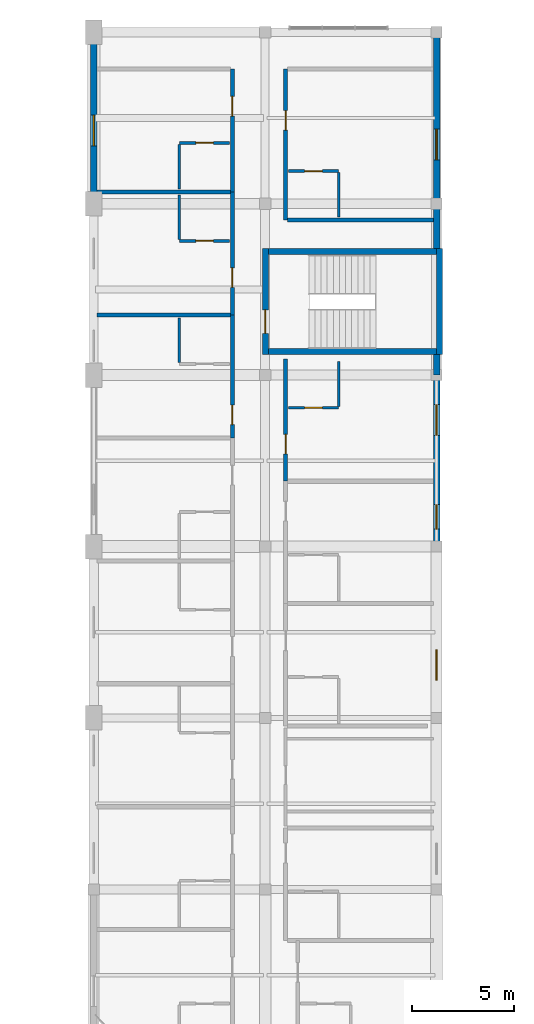
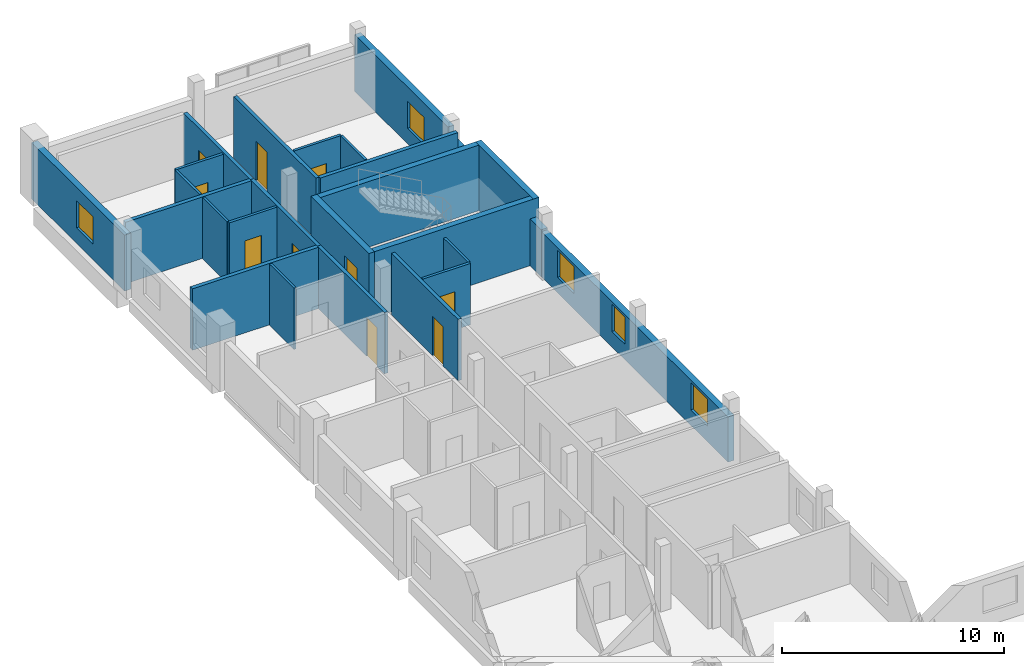
# One storey, part 14 of 20: 26 walls, 10 doors, 5 windows, 15 openings.
"""IFC4 building model written with IfcOpenShell, lengths in metres."""

from ifc_helpers import new_model, si_unit, derived_unit, direction, frame, frame_2d, origin, place, context, subcontext, project, spatial, rectangle, extrude, material, layer, layer_set, type_object, element, fill, save


model = new_model("IFC4")

# Units and contexts
model_context = context("Model", 3, precision=1e-05, world=origin(), true_north=direction((0.0, 1.0)))
body_context = subcontext(model_context, "Body", "Model", "MODEL_VIEW")
ifc_project = project(units=[si_unit("LENGTHUNIT", "METRE"), si_unit("AREAUNIT", "SQUARE_METRE"), si_unit("VOLUMEUNIT", "CUBIC_METRE"), si_unit("PLANEANGLEUNIT", "RADIAN"), si_unit("MASSUNIT", "GRAM", prefix="KILO"), derived_unit("THERMALTRANSMITTANCEUNIT", [(si_unit("POWERUNIT", "WATT"), 1), (si_unit("LENGTHUNIT", "METRE"), -2), (si_unit("THERMODYNAMICTEMPERATUREUNIT", "KELVIN"), -1)])], contexts=[model_context])

# Site, building, storey
site_placement = place(None, origin())
site = spatial("IfcSite", under=ifc_project, at=site_placement, CompositionType="ELEMENT")
building_placement = place(site_placement, origin())
building = spatial("IfcBuilding", under=site, at=building_placement, Name="Barrovel Congress Hotel", CompositionType="ELEMENT")
storey_placement = place(building_placement, frame((0.0, 0.0, 36.300048828125)))
storey = spatial("IfcBuildingStorey", under=building, at=storey_placement, Name="L09", CompositionType="ELEMENT", Elevation=36.300048828125)

# Wall, openings, windows
ifc_material_1 = material(Name="Fired Clay Brick Masonry", Category="masonry")
ifc_layer_1 = layer(ifc_material_1, 0.320068359375)
ifc_layer_set_1 = layer_set([ifc_layer_1], Name="Fired Clay Brick Masonry")
wall_type_1 = type_object("IfcWallType", Name="EW-BRK320", PredefinedType="STANDARD", material=ifc_layer_set_1)
wall_1_placement = place(storey_placement, frame((50.39990234375, 37.800048828125, 0.0), z_axis=(0.0, 0.0, 1.0), x_axis=(0.0, 1.0, 0.0)))
wall_1 = element("IfcWall", 1, at=wall_1_placement, inside=storey, type_object=wall_type_1, Name="EW:L09:HW-E-1", PredefinedType="STANDARD", context=body_context, shape_type="SweptSolid", body=[
    extrude(rectangle(XDim=16.800048828125, YDim=0.320068359375, at=frame_2d((8.39990234375, 0.0))), origin(), (0.0, 0.0, 1.0), 2.47998046875),
])
opening_1_placement = place(wall_1_placement, frame((1.85009765625, 0.0, 0.85009765625)))
opening_1 = element("IfcOpeningElement", 2, at=opening_1_placement, cuts=wall_1, Name="Opening WN-07", PredefinedType="OPENING", context=body_context, shape_type="SweptSolid", body=[
    extrude(rectangle(XDim=1.5, YDim=1.5, at=frame_2d((0.75, 0.75))), frame((0.0, 0.169921875, 0.0), z_axis=(0.0, -1.0, 0.0), x_axis=(1.0, 0.0, 0.0)), (0.0, 0.0, 1.0), 0.340087890625),
])
opening_2_placement = place(wall_1_placement, frame((9.25, 0.0, 0.85009765625)))
opening_2 = element("IfcOpeningElement", 3, at=opening_2_placement, cuts=wall_1, Name="Opening WN-06", PredefinedType="OPENING", context=body_context, shape_type="SweptSolid", body=[
    extrude(rectangle(XDim=1.199951171875, YDim=1.5, at=frame_2d((0.60009765625, 0.75))), frame((0.0, 0.169921875, 0.0), z_axis=(0.0, -1.0, 0.0), x_axis=(1.0, 0.0, 0.0)), (0.0, 0.0, 1.0), 0.340087890625),
])
opening_3_placement = place(wall_1_placement, frame((13.85009765625, 0.0, 0.85009765625)))
opening_3 = element("IfcOpeningElement", 4, at=opening_3_placement, cuts=wall_1, Name="Opening WN-07", PredefinedType="OPENING", context=body_context, shape_type="SweptSolid", body=[
    extrude(rectangle(XDim=1.5, YDim=1.5, at=frame_2d((0.75, 0.75))), frame((0.0, 0.169921875, 0.0), z_axis=(0.0, -1.0, 0.0), x_axis=(1.0, 0.0, 0.0)), (0.0, 0.0, 1.0), 0.340087890625),
])
ifc_material_2 = material(Name="Double Low-E Insulated Glazing", Category="glass")
window_type_1 = type_object("IfcWindowType", Name="WIN-WN-06", PartitioningType="SINGLE_PANEL", PredefinedType="WINDOW", material=ifc_material_2)
window_1_placement = place(opening_2_placement, origin())
window_1 = element("IfcWindow", 5, at=window_1_placement, inside=storey, type_object=window_type_1, Name="WIN:L09:U36", OverallHeight=1.5, OverallWidth=1.199951171875, PartitioningType="SINGLE_PANEL", PredefinedType="WINDOW", context=body_context, shape_type="SweptSolid", body=[
    extrude(rectangle(XDim=1.199951171875, YDim=1.5, at=frame_2d((0.60009765625, 0.75))), frame((0.0, 0.030029296875, 0.0), z_axis=(0.0, -1.0, 0.0), x_axis=(1.0, 0.0, 0.0)), (0.0, 0.0, 1.0), 0.06005859375),
])
fill(opening_2, window_1)
window_type_2 = type_object("IfcWindowType", Name="WIN-WN-07", PartitioningType="SINGLE_PANEL", PredefinedType="WINDOW", material=ifc_material_2)
window_2_placement = place(opening_1_placement, origin())
window_2 = element("IfcWindow", 6, at=window_2_placement, inside=storey, type_object=window_type_2, Name="WIN:L09:U35", OverallHeight=1.5, OverallWidth=1.5, PartitioningType="SINGLE_PANEL", PredefinedType="WINDOW", context=body_context, shape_type="SweptSolid", body=[
    extrude(rectangle(XDim=1.5, YDim=1.5, at=frame_2d((0.75, 0.75))), frame((0.0, 0.030029296875, 0.0), z_axis=(0.0, -1.0, 0.0), x_axis=(1.0, 0.0, 0.0)), (0.0, 0.0, 1.0), 0.06005859375),
])
fill(opening_1, window_2)
window_3_placement = place(opening_3_placement, origin())
window_3 = element("IfcWindow", 7, at=window_3_placement, inside=storey, type_object=window_type_2, Name="WIN:L09:U37", OverallHeight=1.5, OverallWidth=1.5, PartitioningType="SINGLE_PANEL", PredefinedType="WINDOW", context=body_context, shape_type="SweptSolid", body=[
    extrude(rectangle(XDim=1.5, YDim=1.5, at=frame_2d((0.75, 0.75))), frame((0.0, 0.030029296875, 0.0), z_axis=(0.0, -1.0, 0.0), x_axis=(1.0, 0.0, 0.0)), (0.0, 0.0, 1.0), 0.06005859375),
])
fill(opening_3, window_3)

# Wall, opening, window
wall_2_placement = place(storey_placement, frame((50.39990234375, 63.0, 0.0), z_axis=(0.0, 0.0, 1.0), x_axis=(0.0, 1.0, 0.0)))
wall_2 = element("IfcWall", 8, at=wall_2_placement, inside=storey, type_object=wall_type_1, Name="EW:L09:HW-E-2", PredefinedType="STANDARD", context=body_context, shape_type="SweptSolid", body=[
    extrude(rectangle(XDim=8.39990234375, YDim=0.320068359375, at=frame_2d((4.199951171875, 0.0))), origin(), (0.0, 0.0, 1.0), 3.1259765625),
])
opening_4_placement = place(wall_2_placement, frame((2.14990234375, 0.0, 0.85009765625)))
opening_4 = element("IfcOpeningElement", 9, at=opening_4_placement, cuts=wall_2, Name="Opening WN-07", PredefinedType="OPENING", context=body_context, shape_type="SweptSolid", body=[
    extrude(rectangle(XDim=1.5, YDim=1.5, at=frame_2d((0.75, 0.75))), frame((0.0, 0.169921875, 0.0), z_axis=(0.0, -1.0, 0.0), x_axis=(1.0, 0.0, 0.0)), (0.0, 0.0, 1.0), 0.340087890625),
])
window_4_placement = place(opening_4_placement, origin())
window_4 = element("IfcWindow", 10, at=window_4_placement, inside=storey, type_object=window_type_2, Name="WIN:L09:U38", OverallHeight=1.5, OverallWidth=1.5, PartitioningType="SINGLE_PANEL", PredefinedType="WINDOW", context=body_context, shape_type="SweptSolid", body=[
    extrude(rectangle(XDim=1.5, YDim=1.5, at=frame_2d((0.75, 0.75))), frame((0.0, 0.030029296875, 0.0), z_axis=(0.0, -1.0, 0.0), x_axis=(1.0, 0.0, 0.0)), (0.0, 0.0, 1.0), 0.06005859375),
])
fill(opening_4, window_4)

# Walls
wall_3_placement = place(storey_placement, frame((50.39990234375, 54.60009765625, 0.0), z_axis=(0.0, 0.0, 1.0), x_axis=(0.0, 1.0, 0.0)))
element("IfcWall", 11, at=wall_3_placement, inside=storey, type_object=wall_type_1, Name="EW:L09:HW-E-1:P03", PredefinedType="STANDARD", context=body_context, shape_type="SweptSolid", body=[
    extrude(rectangle(XDim=1.0, YDim=0.320068359375, at=frame_2d((0.5, 0.0))), origin(), (0.0, 0.0, 1.0), 2.579833984375),
])
wall_4_placement = place(storey_placement, frame((50.39990234375, 60.800048828125, 0.0), z_axis=(0.0, 0.0, 1.0), x_axis=(0.0, 1.0, 0.0)))
element("IfcWall", 12, at=wall_4_placement, inside=storey, type_object=wall_type_1, Name="EW:L09:HW-E-2:P01", PredefinedType="STANDARD", context=body_context, shape_type="SweptSolid", body=[
    extrude(rectangle(XDim=2.199951171875, YDim=0.320068359375, at=frame_2d((1.10009765625, 0.0))), origin(), (0.0, 0.0, 1.0), 2.579833984375),
])

# Wall, opening, window
wall_5_placement = place(storey_placement, frame((33.60009765625, 71.39990234375, 0.0), z_axis=(0.0, 0.0, 1.0), x_axis=(0.0, -1.0, 0.0)))
wall_5 = element("IfcWall", 13, at=wall_5_placement, inside=storey, type_object=wall_type_1, Name="EW:L09:HW-W:P01", PredefinedType="STANDARD", context=body_context, shape_type="SweptSolid", body=[
    extrude(rectangle(XDim=8.39990234375, YDim=0.320068359375, at=frame_2d((4.199951171875, 0.0))), origin(), (0.0, 0.0, 1.0), 3.0751953125),
])
opening_5_placement = place(wall_5_placement, frame((4.0625, 0.0, 0.85009765625)))
opening_5 = element("IfcOpeningElement", 14, at=opening_5_placement, cuts=wall_5, Name="Opening WN-07", PredefinedType="OPENING", context=body_context, shape_type="SweptSolid", body=[
    extrude(rectangle(XDim=1.5, YDim=1.5, at=frame_2d((0.75, 0.75))), frame((0.0, 0.169921875, 0.0), z_axis=(0.0, -1.0, 0.0), x_axis=(1.0, 0.0, 0.0)), (0.0, 0.0, 1.0), 0.340087890625),
])
window_5_placement = place(opening_5_placement, origin())
window_5 = element("IfcWindow", 15, at=window_5_placement, inside=storey, type_object=window_type_2, Name="WIN:L09:U32", OverallHeight=1.5, OverallWidth=1.5, PartitioningType="SINGLE_PANEL", PredefinedType="WINDOW", context=body_context, shape_type="SweptSolid", body=[
    extrude(rectangle(XDim=1.5, YDim=1.5, at=frame_2d((0.75, 0.75))), frame((0.0, 0.030029296875, 0.0), z_axis=(0.0, -1.0, 0.0), x_axis=(1.0, 0.0, 0.0)), (0.0, 0.0, 1.0), 0.06005859375),
])
fill(opening_5, window_5)

# Wall, opening, door
ifc_material_3 = material(Name="Gypsum Acoustic Stud", Category="gypsum")
ifc_layer_2 = layer(ifc_material_3, 0.179931640625)
ifc_layer_set_2 = layer_set([ifc_layer_2], Name="Gypsum Acoustic Stud")
wall_type_2 = type_object("IfcWallType", Name="PW-ACU-180", PredefinedType="PARTITIONING", material=ifc_layer_set_2)
wall_6_placement = place(storey_placement, frame((40.39990234375, 51.52490234375, 0.0), z_axis=(0.0, 0.0, 1.0), x_axis=(0.0, 1.0, 0.0)))
wall_6 = element("IfcWall", 16, at=wall_6_placement, inside=storey, type_object=wall_type_2, Name="PW:L09:U30:COR", PredefinedType="PARTITIONING", context=body_context, shape_type="SweptSolid", body=[
    extrude(rectangle(XDim=6.025146484375, YDim=0.179931640625, at=frame_2d((3.0126953125, 0.0))), origin(), (0.0, 0.0, 1.0), 3.375),
])
opening_6_placement = place(wall_6_placement, frame((0.6474609375, 0.0, 0.0)))
opening_6 = element("IfcOpeningElement", 17, at=opening_6_placement, cuts=wall_6, Name="Opening ID-HTL", PredefinedType="OPENING", context=body_context, shape_type="SweptSolid", body=[
    extrude(rectangle(XDim=0.9599609375, YDim=2.14990234375, at=frame_2d((0.47998046875, 1.074951171875))), frame((0.0, 0.10009765625, 0.0), z_axis=(0.0, -1.0, 0.0), x_axis=(1.0, 0.0, 0.0)), (0.0, 0.0, 1.0), 0.199951171875),
])
ifc_material_4 = material(Name="Solid Oak Acoustic Timber Door", Category="wood")
door_type_1 = type_object("IfcDoorType", Name="IDR-ID-HTL", OperationType="NOTDEFINED", PredefinedType="DOOR", material=ifc_material_4)
door_1_placement = place(opening_6_placement, origin())
door_1 = element("IfcDoor", 18, at=door_1_placement, inside=storey, type_object=door_type_1, Name="DR:L09:U30:ENT", OperationType="SINGLE_SWING_RIGHT", OverallHeight=2.14990234375, OverallWidth=0.9599609375, PredefinedType="DOOR", context=body_context, shape_type="SweptSolid", body=[
    extrude(rectangle(XDim=0.9599609375, YDim=2.14990234375, at=frame_2d((0.47998046875, 1.074951171875))), frame((0.0, 0.02490234375, 0.0), z_axis=(0.0, -1.0, 0.0), x_axis=(1.0, 0.0, 0.0)), (0.0, 0.0, 1.0), 0.050048828125),
])
fill(opening_6, door_1)

wall_7_placement = place(storey_placement, frame((40.39990234375, 57.550048828125, 0.0), z_axis=(0.0, 0.0, 1.0), x_axis=(0.0, 1.0, 0.0)))
wall_7 = element("IfcWall", 19, at=wall_7_placement, inside=storey, type_object=wall_type_2, Name="PW:L09:U31:COR", PredefinedType="PARTITIONING", context=body_context, shape_type="SweptSolid", body=[
    extrude(rectangle(XDim=6.02490234375, YDim=0.179931640625, at=frame_2d((3.012451171875, 0.0))), origin(), (0.0, 0.0, 1.0), 3.375),
])
opening_7_placement = place(wall_7_placement, frame((1.347412109375, 0.0, 0.0)))
opening_7 = element("IfcOpeningElement", 20, at=opening_7_placement, cuts=wall_7, Name="Opening ID-HTL", PredefinedType="OPENING", context=body_context, shape_type="SweptSolid", body=[
    extrude(rectangle(XDim=0.9599609375, YDim=2.14990234375, at=frame_2d((0.47998046875, 1.074951171875))), frame((0.0, 0.10009765625, 0.0), z_axis=(0.0, -1.0, 0.0), x_axis=(1.0, 0.0, 0.0)), (0.0, 0.0, 1.0), 0.199951171875),
])
door_2_placement = place(opening_7_placement, origin())
door_2 = element("IfcDoor", 21, at=door_2_placement, inside=storey, type_object=door_type_1, Name="DR:L09:U31:ENT", OperationType="SINGLE_SWING_RIGHT", OverallHeight=2.14990234375, OverallWidth=0.9599609375, PredefinedType="DOOR", context=body_context, shape_type="SweptSolid", body=[
    extrude(rectangle(XDim=0.9599609375, YDim=2.14990234375, at=frame_2d((0.47998046875, 1.074951171875))), frame((0.0, 0.02490234375, 0.0), z_axis=(0.0, -1.0, 0.0), x_axis=(1.0, 0.0, 0.0)), (0.0, 0.0, 1.0), 0.050048828125),
])
fill(opening_7, door_2)

wall_8_placement = place(storey_placement, frame((40.39990234375, 63.574951171875, 0.0), z_axis=(0.0, 0.0, 1.0), x_axis=(0.0, 1.0, 0.0)))
wall_8 = element("IfcWall", 22, at=wall_8_placement, inside=storey, type_object=wall_type_2, Name="PW:L09:U32:COR", PredefinedType="PARTITIONING", context=body_context, shape_type="SweptSolid", body=[
    extrude(rectangle(XDim=6.025146484375, YDim=0.179931640625, at=frame_2d((3.0126953125, 0.0))), origin(), (0.0, 0.0, 1.0), 3.375),
])
opening_8_placement = place(wall_8_placement, frame((3.717529296875, 0.0, 0.0)))
opening_8 = element("IfcOpeningElement", 23, at=opening_8_placement, cuts=wall_8, Name="Opening ID-HTL", PredefinedType="OPENING", context=body_context, shape_type="SweptSolid", body=[
    extrude(rectangle(XDim=0.9599609375, YDim=2.14990234375, at=frame_2d((0.47998046875, 1.074951171875))), frame((0.0, 0.10009765625, 0.0), z_axis=(0.0, -1.0, 0.0), x_axis=(1.0, 0.0, 0.0)), (0.0, 0.0, 1.0), 0.199951171875),
])
door_3_placement = place(opening_8_placement, origin())
door_3 = element("IfcDoor", 24, at=door_3_placement, inside=storey, type_object=door_type_1, Name="DR:L09:U32:ENT", OperationType="SINGLE_SWING_RIGHT", OverallHeight=2.14990234375, OverallWidth=0.9599609375, PredefinedType="DOOR", context=body_context, shape_type="SweptSolid", body=[
    extrude(rectangle(XDim=0.9599609375, YDim=2.14990234375, at=frame_2d((0.47998046875, 1.074951171875))), frame((0.0, 0.02490234375, 0.0), z_axis=(0.0, -1.0, 0.0), x_axis=(1.0, 0.0, 0.0)), (0.0, 0.0, 1.0), 0.050048828125),
])
fill(opening_8, door_3)

wall_9_placement = place(storey_placement, frame((43.0, 49.39990234375, 0.0), z_axis=(0.0, 0.0, 1.0), x_axis=(0.0, 1.0, 0.0)))
wall_9 = element("IfcWall", 25, at=wall_9_placement, inside=storey, type_object=wall_type_2, Name="PW:L09:U37:COR", PredefinedType="PARTITIONING", context=body_context, shape_type="SweptSolid", body=[
    extrude(rectangle(XDim=6.0, YDim=0.179931640625, at=frame_2d((3.0, 0.0))), origin(), (0.0, 0.0, 1.0), 3.375),
])
opening_9_placement = place(wall_9_placement, frame((1.3349609375, 0.0, 0.0)))
opening_9 = element("IfcOpeningElement", 26, at=opening_9_placement, cuts=wall_9, Name="Opening ID-HTL", PredefinedType="OPENING", context=body_context, shape_type="SweptSolid", body=[
    extrude(rectangle(XDim=0.9599609375, YDim=2.14990234375, at=frame_2d((0.47998046875, 1.074951171875))), frame((0.0, 0.10009765625, 0.0), z_axis=(0.0, -1.0, 0.0), x_axis=(1.0, 0.0, 0.0)), (0.0, 0.0, 1.0), 0.199951171875),
])
door_4_placement = place(opening_9_placement, origin())
door_4 = element("IfcDoor", 27, at=door_4_placement, inside=storey, type_object=door_type_1, Name="DR:L09:U37:ENT", OperationType="SINGLE_SWING_RIGHT", OverallHeight=2.14990234375, OverallWidth=0.9599609375, PredefinedType="DOOR", context=body_context, shape_type="SweptSolid", body=[
    extrude(rectangle(XDim=0.9599609375, YDim=2.14990234375, at=frame_2d((0.47998046875, 1.074951171875))), frame((0.0, 0.02490234375, 0.0), z_axis=(0.0, -1.0, 0.0), x_axis=(1.0, 0.0, 0.0)), (0.0, 0.0, 1.0), 0.050048828125),
])
fill(opening_9, door_4)

wall_10_placement = place(storey_placement, frame((43.0, 62.199951171875, 0.0), z_axis=(0.0, 0.0, 1.0), x_axis=(0.0, 1.0, 0.0)))
wall_10 = element("IfcWall", 28, at=wall_10_placement, inside=storey, type_object=wall_type_2, Name="PW:L09:U38:COR", PredefinedType="PARTITIONING", context=body_context, shape_type="SweptSolid", body=[
    extrude(rectangle(XDim=7.400146484375, YDim=0.179931640625, at=frame_2d((3.7001953125, 0.0))), origin(), (0.0, 0.0, 1.0), 3.375),
])
opening_10_placement = place(wall_10_placement, frame((4.405029296875, 0.0, 0.0)))
opening_10 = element("IfcOpeningElement", 29, at=opening_10_placement, cuts=wall_10, Name="Opening ID-HTL", PredefinedType="OPENING", context=body_context, shape_type="SweptSolid", body=[
    extrude(rectangle(XDim=0.9599609375, YDim=2.14990234375, at=frame_2d((0.47998046875, 1.074951171875))), frame((0.0, 0.10009765625, 0.0), z_axis=(0.0, -1.0, 0.0), x_axis=(1.0, 0.0, 0.0)), (0.0, 0.0, 1.0), 0.199951171875),
])
door_5_placement = place(opening_10_placement, origin())
door_5 = element("IfcDoor", 30, at=door_5_placement, inside=storey, type_object=door_type_1, Name="DR:L09:U38:ENT", OperationType="SINGLE_SWING_RIGHT", OverallHeight=2.14990234375, OverallWidth=0.9599609375, PredefinedType="DOOR", context=body_context, shape_type="SweptSolid", body=[
    extrude(rectangle(XDim=0.9599609375, YDim=2.14990234375, at=frame_2d((0.47998046875, 1.074951171875))), frame((0.0, 0.02490234375, 0.0), z_axis=(0.0, -1.0, 0.0), x_axis=(1.0, 0.0, 0.0)), (0.0, 0.0, 1.0), 0.050048828125),
])
fill(opening_10, door_5)

# Walls
ifc_layer_3 = layer(ifc_material_3, 0.1201171875)
ifc_layer_set_3 = layer_set([ifc_layer_3], Name="Gypsum Acoustic Stud")
wall_type_3 = type_object("IfcWallType", Name="PW-INT-120", PredefinedType="PARTITIONING", material=ifc_layer_set_3)
for number, where, z_axis, x_axis, name in (
    (31, (37.800048828125, 55.219970703125, 0.0), (0.0, 0.0, 1.0), (0.0, 1.0, 0.0), "PW:L09:U30:B2"),
    (32, (37.800048828125, 61.2451171875, 0.0), (0.0, 0.0, 1.0), (0.0, 1.0, 0.0), "PW:L09:U31:B2"),
    (33, (37.800048828125, 63.715087890625, 0.0), (0.0, 0.0, 1.0), (0.0, 1.0, 0.0), "PW:L09:U32:B2"),
    (34, (45.60009765625, 53.070068359375, 0.0), (0.0, 0.0, 1.0), (0.0, 1.0, 0.0), "PW:L09:U37:B2"),
    (35, (45.60009765625, 62.340087890625, 0.0), (0.0, 0.0, 1.0), (0.0, 1.0, 0.0), "PW:L09:U38:B2"),
):
    element("IfcWall", number, at=place(storey_placement, frame(where, z_axis=z_axis, x_axis=x_axis)), inside=storey, type_object=wall_type_3, Name=name, PredefinedType="PARTITIONING", context=body_context, shape_type="SweptSolid", body=[
        extrude(rectangle(XDim=2.18994140625, YDim=0.1201171875, at=frame_2d((1.094970703125, 0.0))), origin(), (0.0, 0.0, 1.0), 3.375),
    ])
ifc_layer_4 = layer(ifc_material_1, 0.199951171875)
ifc_layer_set_4 = layer_set([ifc_layer_4], Name="Fired Clay Brick Masonry")
wall_type_4 = type_object("IfcWallType", Name="PW-MAS-200", PredefinedType="PARTITIONING", material=ifc_layer_set_4)
for number, where, z_axis, x_axis, name in (
    (36, (33.760009765625, 57.550048828125, 0.0), (0.0, 0.0, 1.0), (1.0, 0.0, 0.0), "PW:L09:U30:DEM"),
    (37, (33.760009765625, 63.574951171875, 0.0), (0.0, 0.0, 1.0), (1.0, 0.0, 0.0), "PW:L09:U31:DEM"),
):
    element("IfcWall", number, at=place(storey_placement, frame(where, z_axis=z_axis, x_axis=x_axis)), inside=storey, type_object=wall_type_4, Name=name, PredefinedType="PARTITIONING", context=body_context, shape_type="SweptSolid", body=[
        extrude(rectangle(XDim=6.550048828125, YDim=0.199951171875, at=frame_2d((3.27490234375, 0.0))), origin(), (0.0, 0.0, 1.0), 3.375),
    ])
wall_11_placement = place(storey_placement, frame((43.090087890625, 62.199951171875, 0.0), z_axis=(0.0, 0.0, 1.0), x_axis=(1.0, 0.0, 0.0)))
element("IfcWall", 38, at=wall_11_placement, inside=storey, type_object=wall_type_4, Name="PW:L09:U38:DEM0", PredefinedType="PARTITIONING", context=body_context, shape_type="SweptSolid", body=[
    extrude(rectangle(XDim=7.14990234375, YDim=0.199951171875, at=frame_2d((3.574951171875, 0.0))), origin(), (0.0, 0.0, 1.0), 3.375),
])

# Wall, opening, door
ifc_material_5 = material(Name="Gypsum Moisture Board", Category="gypsum")
ifc_layer_5 = layer(ifc_material_5, 0.139892578125)
ifc_layer_set_5 = layer_set([ifc_layer_5], Name="Gypsum Moisture Board")
wall_type_5 = type_object("IfcWallType", Name="PW-WET-140", PredefinedType="PARTITIONING", material=ifc_layer_set_5)
wall_12_placement = place(storey_placement, frame((37.800048828125, 61.175048828125, 0.0), z_axis=(0.0, 0.0, 1.0), x_axis=(1.0, 0.0, 0.0)))
wall_12 = element("IfcWall", 39, at=wall_12_placement, inside=storey, type_object=wall_type_5, Name="PW:L09:U31:B1", PredefinedType="PARTITIONING", context=body_context, shape_type="SweptSolid", body=[
    extrude(rectangle(XDim=2.4599609375, YDim=0.139892578125, at=frame_2d((1.22998046875, 0.0))), origin(), (0.0, 0.0, 1.0), 3.375),
])
opening_11_placement = place(wall_12_placement, frame((0.800048828125, 0.0, 0.0)))
opening_11 = element("IfcOpeningElement", 40, at=opening_11_placement, cuts=wall_12, Name="Opening ID-ENS", PredefinedType="OPENING", context=body_context, shape_type="SweptSolid", body=[
    extrude(rectangle(XDim=0.860107421875, YDim=2.10009765625, at=frame_2d((0.43017578125, 1.050048828125))), frame((0.0, 0.080078125, 0.0), z_axis=(0.0, -1.0, 0.0), x_axis=(1.0, 0.0, 0.0)), (0.0, 0.0, 1.0), 0.159912109375),
])
ifc_material_6 = material(Name="Lacquered Timber Moisture Door", Category="wood")
door_type_2 = type_object("IfcDoorType", Name="IDR-ID-ENS", OperationType="NOTDEFINED", PredefinedType="DOOR", material=ifc_material_6)
door_6_placement = place(opening_11_placement, origin())
door_6 = element("IfcDoor", 41, at=door_6_placement, inside=storey, type_object=door_type_2, Name="DR:L09:U31:ENS", OperationType="SINGLE_SWING_LEFT", OverallHeight=2.10009765625, OverallWidth=0.860107421875, PredefinedType="DOOR", context=body_context, shape_type="SweptSolid", body=[
    extrude(rectangle(XDim=0.860107421875, YDim=2.10009765625, at=frame_2d((0.43017578125, 1.050048828125))), frame((0.0, 0.02490234375, 0.0), z_axis=(0.0, -1.0, 0.0), x_axis=(1.0, 0.0, 0.0)), (0.0, 0.0, 1.0), 0.050048828125),
])
fill(opening_11, door_6)

wall_13_placement = place(storey_placement, frame((37.800048828125, 65.97509765625, 0.0), z_axis=(0.0, 0.0, 1.0), x_axis=(1.0, 0.0, 0.0)))
wall_13 = element("IfcWall", 42, at=wall_13_placement, inside=storey, type_object=wall_type_5, Name="PW:L09:U32:B1", PredefinedType="PARTITIONING", context=body_context, shape_type="SweptSolid", body=[
    extrude(rectangle(XDim=2.4599609375, YDim=0.139892578125, at=frame_2d((1.22998046875, 0.0))), origin(), (0.0, 0.0, 1.0), 3.375),
])
opening_12_placement = place(wall_13_placement, frame((0.800048828125, 0.0, 0.0)))
opening_12 = element("IfcOpeningElement", 43, at=opening_12_placement, cuts=wall_13, Name="Opening ID-ENS", PredefinedType="OPENING", context=body_context, shape_type="SweptSolid", body=[
    extrude(rectangle(XDim=0.860107421875, YDim=2.10009765625, at=frame_2d((0.43017578125, 1.050048828125))), frame((0.0, 0.080078125, 0.0), z_axis=(0.0, -1.0, 0.0), x_axis=(1.0, 0.0, 0.0)), (0.0, 0.0, 1.0), 0.159912109375),
])
door_7_placement = place(opening_12_placement, origin())
door_7 = element("IfcDoor", 44, at=door_7_placement, inside=storey, type_object=door_type_2, Name="DR:L09:U32:ENS", OperationType="SINGLE_SWING_LEFT", OverallHeight=2.10009765625, OverallWidth=0.860107421875, PredefinedType="DOOR", context=body_context, shape_type="SweptSolid", body=[
    extrude(rectangle(XDim=0.860107421875, YDim=2.10009765625, at=frame_2d((0.43017578125, 1.050048828125))), frame((0.0, 0.02490234375, 0.0), z_axis=(0.0, -1.0, 0.0), x_axis=(1.0, 0.0, 0.0)), (0.0, 0.0, 1.0), 0.050048828125),
])
fill(opening_12, door_7)

wall_14_placement = place(storey_placement, frame((43.139892578125, 53.0, 0.0), z_axis=(0.0, 0.0, 1.0), x_axis=(1.0, 0.0, 0.0)))
wall_14 = element("IfcWall", 45, at=wall_14_placement, inside=storey, type_object=wall_type_5, Name="PW:L09:U37:B1", PredefinedType="PARTITIONING", context=body_context, shape_type="SweptSolid", body=[
    extrude(rectangle(XDim=2.460205078125, YDim=0.139892578125, at=frame_2d((1.22998046875, 0.0))), origin(), (0.0, 0.0, 1.0), 3.375),
])
opening_13_placement = place(wall_14_placement, frame((0.800048828125, 0.0, 0.0)))
opening_13 = element("IfcOpeningElement", 46, at=opening_13_placement, cuts=wall_14, Name="Opening ID-ENS", PredefinedType="OPENING", context=body_context, shape_type="SweptSolid", body=[
    extrude(rectangle(XDim=0.860107421875, YDim=2.10009765625, at=frame_2d((0.43017578125, 1.050048828125))), frame((0.0, 0.080078125, 0.0), z_axis=(0.0, -1.0, 0.0), x_axis=(1.0, 0.0, 0.0)), (0.0, 0.0, 1.0), 0.159912109375),
])
door_8_placement = place(opening_13_placement, origin())
door_8 = element("IfcDoor", 47, at=door_8_placement, inside=storey, type_object=door_type_2, Name="DR:L09:U37:ENS", OperationType="SINGLE_SWING_LEFT", OverallHeight=2.10009765625, OverallWidth=0.860107421875, PredefinedType="DOOR", context=body_context, shape_type="SweptSolid", body=[
    extrude(rectangle(XDim=0.860107421875, YDim=2.10009765625, at=frame_2d((0.43017578125, 1.050048828125))), frame((0.0, 0.02490234375, 0.0), z_axis=(0.0, -1.0, 0.0), x_axis=(1.0, 0.0, 0.0)), (0.0, 0.0, 1.0), 0.050048828125),
])
fill(opening_13, door_8)

wall_15_placement = place(storey_placement, frame((43.139892578125, 64.60009765625, 0.0), z_axis=(0.0, 0.0, 1.0), x_axis=(1.0, 0.0, 0.0)))
wall_15 = element("IfcWall", 48, at=wall_15_placement, inside=storey, type_object=wall_type_5, Name="PW:L09:U38:B1", PredefinedType="PARTITIONING", context=body_context, shape_type="SweptSolid", body=[
    extrude(rectangle(XDim=2.460205078125, YDim=0.139892578125, at=frame_2d((1.22998046875, 0.0))), origin(), (0.0, 0.0, 1.0), 3.375),
])
opening_14_placement = place(wall_15_placement, frame((0.800048828125, 0.0, 0.0)))
opening_14 = element("IfcOpeningElement", 49, at=opening_14_placement, cuts=wall_15, Name="Opening ID-ENS", PredefinedType="OPENING", context=body_context, shape_type="SweptSolid", body=[
    extrude(rectangle(XDim=0.860107421875, YDim=2.10009765625, at=frame_2d((0.43017578125, 1.050048828125))), frame((0.0, 0.080078125, 0.0), z_axis=(0.0, -1.0, 0.0), x_axis=(1.0, 0.0, 0.0)), (0.0, 0.0, 1.0), 0.159912109375),
])
door_9_placement = place(opening_14_placement, origin())
door_9 = element("IfcDoor", 50, at=door_9_placement, inside=storey, type_object=door_type_2, Name="DR:L09:U38:ENS", OperationType="SINGLE_SWING_LEFT", OverallHeight=2.10009765625, OverallWidth=0.860107421875, PredefinedType="DOOR", context=body_context, shape_type="SweptSolid", body=[
    extrude(rectangle(XDim=0.860107421875, YDim=2.10009765625, at=frame_2d((0.43017578125, 1.050048828125))), frame((0.0, 0.02490234375, 0.0), z_axis=(0.0, -1.0, 0.0), x_axis=(1.0, 0.0, 0.0)), (0.0, 0.0, 1.0), 0.050048828125),
])
fill(opening_14, door_9)

# Walls
ifc_material_7 = material(Name="Concrete C40", Category="concrete")
ifc_layer_6 = layer(ifc_material_7, 0.300048828125)
ifc_layer_set_6 = layer_set([ifc_layer_6], Name="Concrete C40")
wall_type_6 = type_object("IfcWallType", Name="SW-C40-300", PredefinedType="SHEAR", material=ifc_layer_set_6)
wall_16_placement = place(storey_placement, frame((41.860107421875, 55.75, 0.0), z_axis=(0.0, 0.0, 1.0), x_axis=(1.0, 0.0, 0.0)))
element("IfcWall", 51, at=wall_16_placement, inside=storey, type_object=wall_type_6, Name="SHW:XS-05:L09:S", PredefinedType="SHEAR", context=body_context, shape_type="SweptSolid", body=[
    extrude(rectangle(XDim=8.83984375, YDim=0.300048828125, at=frame_2d((4.419921875, 0.0))), origin(), (0.0, 0.0, 1.0), 3.599853515625),
])
wall_17_placement = place(storey_placement, frame((50.550048828125, 55.60009765625, 0.0), z_axis=(0.0, 0.0, 1.0), x_axis=(0.0, 1.0, 0.0)))
element("IfcWall", 52, at=wall_17_placement, inside=storey, type_object=wall_type_6, Name="SHW:XS-05:L09:E", PredefinedType="SHEAR", context=body_context, shape_type="SweptSolid", body=[
    extrude(rectangle(XDim=5.199951171875, YDim=0.300048828125, at=frame_2d((2.60009765625, 0.0))), origin(), (0.0, 0.0, 1.0), 3.599853515625),
])
wall_18_placement = place(storey_placement, frame((50.699951171875, 60.64990234375, 0.0), z_axis=(0.0, 0.0, 1.0), x_axis=(-1.0, 0.0, 0.0)))
element("IfcWall", 53, at=wall_18_placement, inside=storey, type_object=wall_type_6, Name="SHW:XS-05:L09:N", PredefinedType="SHEAR", context=body_context, shape_type="SweptSolid", body=[
    extrude(rectangle(XDim=8.83984375, YDim=0.300048828125, at=frame_2d((4.419921875, 0.0))), origin(), (0.0, 0.0, 1.0), 3.599853515625),
])

# Wall, opening, door
wall_19_placement = place(storey_placement, frame((42.010009765625, 60.800048828125, 0.0), z_axis=(0.0, 0.0, 1.0), x_axis=(0.0, -1.0, 0.0)))
wall_19 = element("IfcWall", 54, at=wall_19_placement, inside=storey, type_object=wall_type_6, Name="SHW:XS-05:L09:W", PredefinedType="SHEAR", context=body_context, shape_type="SweptSolid", body=[
    extrude(rectangle(XDim=5.199951171875, YDim=0.300048828125, at=frame_2d((2.60009765625, 0.0))), origin(), (0.0, 0.0, 1.0), 3.599853515625),
])
opening_15_placement = place(wall_19_placement, frame((3.0, 0.0, 0.0)))
opening_15 = element("IfcOpeningElement", 55, at=opening_15_placement, cuts=wall_19, Name="Opening ID-ST1", PredefinedType="OPENING", context=body_context, shape_type="SweptSolid", body=[
    extrude(rectangle(XDim=1.14990234375, YDim=2.14990234375, at=frame_2d((0.574951171875, 1.074951171875))), frame((0.0, 0.16015625, 0.0), z_axis=(0.0, -1.0, 0.0), x_axis=(1.0, 0.0, 0.0)), (0.0, 0.0, 1.0), 0.320068359375),
])
ifc_material_8 = material(Name="Painted Hollow-Metal Steel Door", Category="steel")
door_type_3 = type_object("IfcDoorType", Name="IDR-ID-ST1", OperationType="NOTDEFINED", PredefinedType="DOOR", material=ifc_material_8)
door_10_placement = place(opening_15_placement, origin())
door_10 = element("IfcDoor", 56, at=door_10_placement, inside=storey, type_object=door_type_3, Name="Stair Core Fire Door XS-05-L09", OperationType="SINGLE_SWING_RIGHT", OverallHeight=2.14990234375, OverallWidth=1.14990234375, PredefinedType="DOOR", context=body_context, shape_type="SweptSolid", body=[
    extrude(rectangle(XDim=1.14990234375, YDim=2.14990234375, at=frame_2d((0.574951171875, 1.074951171875))), frame((0.0, 0.02490234375, 0.0), z_axis=(0.0, -1.0, 0.0), x_axis=(1.0, 0.0, 0.0)), (0.0, 0.0, 1.0), 0.050048828125),
])
fill(opening_15, door_10)

save(model, "model.ifc")
